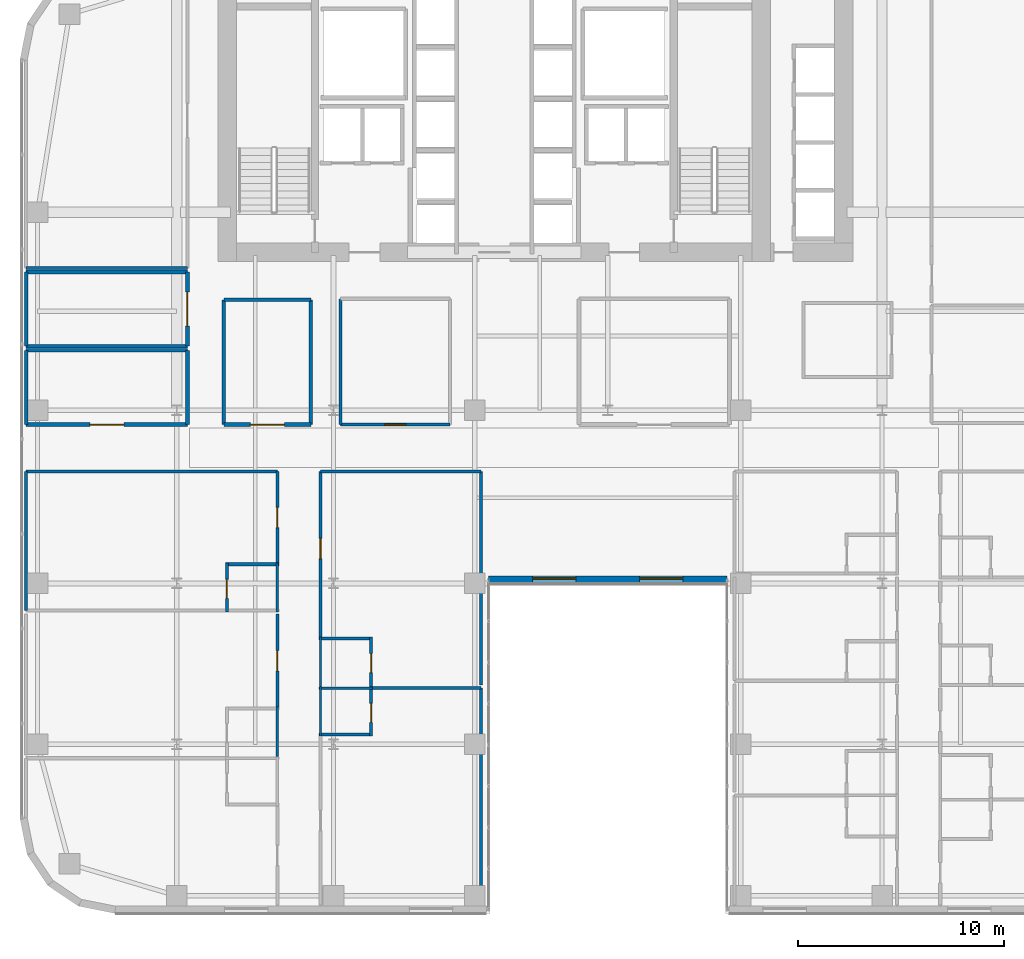
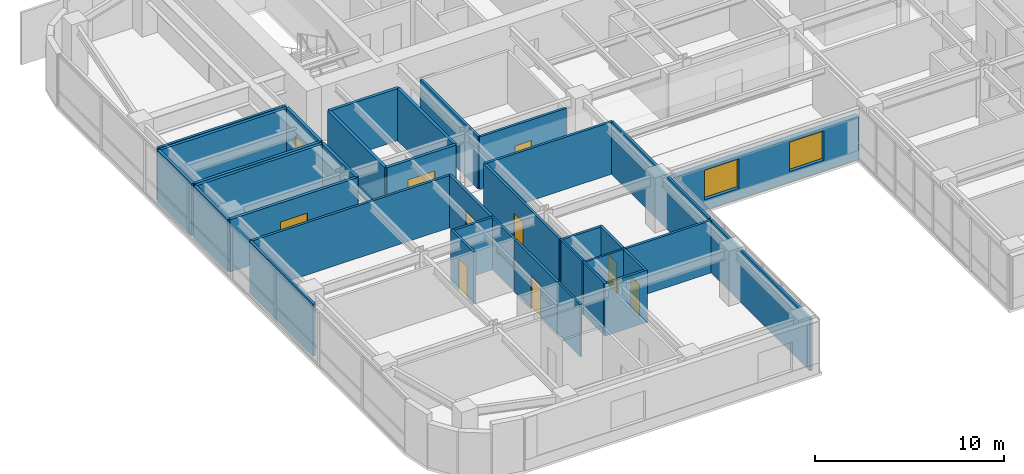
# One storey, part 27 of 37: 36 walls, 10 doors, 2 windows, 12 openings.
"""IFC4 building model written with IfcOpenShell, lengths in metres."""

from ifc_helpers import new_model, si_unit, direction, frame, frame_2d, origin, place, context, subcontext, project, spatial, rectangle, extrude, source, transform, mapped, material, layer, layer_set, type_object, type_shapes, element, fill, save


model = new_model("IFC4")

# Units and contexts
model_context = context("Model", 3, precision=1e-05, world=origin(), true_north=direction((0.0, 1.0)))
body_context = subcontext(model_context, "Body", "Model", "MODEL_VIEW")
ifc_project = project(units=[si_unit("LENGTHUNIT", "METRE"), si_unit("AREAUNIT", "SQUARE_METRE"), si_unit("VOLUMEUNIT", "CUBIC_METRE"), si_unit("PLANEANGLEUNIT", "RADIAN"), si_unit("MASSUNIT", "GRAM", prefix="KILO")], contexts=[model_context])

# Site, building, storey
site_placement = place(None, origin())
site = spatial("IfcSite", under=ifc_project, at=site_placement, CompositionType="ELEMENT")
building_placement = place(site_placement, origin())
building = spatial("IfcBuilding", under=site, at=building_placement, Name="Tolvann Quenvar Hotel", CompositionType="ELEMENT")
storey_placement = place(building_placement, frame((0.0, 0.0, 53.300048828125)))
storey = spatial("IfcBuildingStorey", under=building, at=storey_placement, Name="L12", CompositionType="ELEMENT", Elevation=53.300048828125)

# Wall, openings, windows
ifc_material_1 = material(Name="Kiln-fired red and buff architectural clay brickwork and terracotta masonry", Category="masonry")
ifc_layer_1 = layer(ifc_material_1, 0.35009765625)
ifc_layer_set_1 = layer_set([ifc_layer_1], Name="Kiln-fired red and buff architectural clay brickwork and terracotta masonry")
wall_type_1 = type_object("IfcWallType", Name="WALL_EXT_BRICK_350", PredefinedType="SOLIDWALL", material=ifc_layer_set_1)
wall_1_placement = place(storey_placement, frame((22.7099609375, 16.175048828125, 0.0), z_axis=(0.0, 0.0, 1.0), x_axis=(1.0, 0.0, 0.0)))
wall_1 = element("IfcWall", 1, at=wall_1_placement, inside=storey, type_object=wall_type_1, Name="Exterior Chicago Brick Wall L12-E06", PredefinedType="SOLIDWALL", context=body_context, shape_type="SweptSolid", body=[
    extrude(rectangle(XDim=11.580078125, YDim=0.35009765625, at=frame_2d((5.7900390625, 0.0))), origin(), (0.0, 0.0, 1.0), 2.748046875),
])
opening_1_placement = place(wall_1_placement, frame((2.14501953125, 0.0, 0.679931640625)))
opening_1 = element("IfcOpeningElement", 2, at=opening_1_placement, cuts=wall_1, Name="Opening W-02", PredefinedType="OPENING", context=body_context, shape_type="SweptSolid", body=[
    extrude(rectangle(XDim=2.10009765625, YDim=1.89990234375, at=frame_2d((1.050048828125, 0.949951171875))), frame((0.0, 0.18505859375, 0.0), z_axis=(0.0, -1.0, 0.0), x_axis=(1.0, 0.0, 0.0)), (0.0, 0.0, 1.0), 0.3701171875),
])
opening_2_placement = place(wall_1_placement, frame((7.3349609375, 0.0, 0.679931640625)))
opening_2 = element("IfcOpeningElement", 3, at=opening_2_placement, cuts=wall_1, Name="Opening W-02", PredefinedType="OPENING", context=body_context, shape_type="SweptSolid", body=[
    extrude(rectangle(XDim=2.10009765625, YDim=1.89990234375, at=frame_2d((1.050048828125, 0.949951171875))), frame((0.0, 0.18505859375, 0.0), z_axis=(0.0, -1.0, 0.0), x_axis=(1.0, 0.0, 0.0)), (0.0, 0.0, 1.0), 0.3701171875),
])
ifc_material_2 = material(Name="Thermally broken bronze-anodised aluminium frame with double low-E glazing", Category="aluminium")
window_type = type_object("IfcWindowType", Name="WIN_CHI_2100x2050", PartitioningType="TRIPLE_PANEL_HORIZONTAL", PredefinedType="WINDOW", material=ifc_material_2)
shared_shape_1 = source(origin(), body_context, "Body", "SweptSolid", [
    extrude(rectangle(XDim=2.10009765625, YDim=1.89990234375, at=frame_2d((1.050048828125, 0.949951171875))), frame((0.0, 0.090087890625, 0.0), z_axis=(0.0, -1.0, 0.0), x_axis=(1.0, 0.0, 0.0)), (0.0, 0.0, 1.0), 0.06005859375),
])
type_shapes(window_type, [shared_shape_1])
window_1_placement = place(opening_1_placement, origin())
window_1 = element("IfcWindow", 4, at=window_1_placement, inside=storey, type_object=window_type, Name="Chicago Window W-02 (EW-L12-E06-W01)", OverallHeight=1.89990234375, OverallWidth=2.10009765625, PartitioningType="TRIPLE_PANEL_HORIZONTAL", PredefinedType="WINDOW", context=body_context, shape_type="MappedRepresentation", body=[
    mapped(shared_shape_1, transform((0.0, 0.0, 0.0), x_axis=(1.0, 0.0, 0.0), y_axis=(0.0, 1.0, 0.0), z_axis=(0.0, 0.0, 1.0), scale=1.0)),
])
fill(opening_1, window_1)
window_2_placement = place(opening_2_placement, origin())
window_2 = element("IfcWindow", 5, at=window_2_placement, inside=storey, type_object=window_type, Name="Chicago Window W-02 (EW-L12-E06-W02)", OverallHeight=1.89990234375, OverallWidth=2.10009765625, PartitioningType="TRIPLE_PANEL_HORIZONTAL", PredefinedType="WINDOW", context=body_context, shape_type="MappedRepresentation", body=[
    mapped(shared_shape_1, transform((0.0, 0.0, 0.0), x_axis=(1.0, 0.0, 0.0), y_axis=(0.0, 1.0, 0.0), z_axis=(0.0, 0.0, 1.0), scale=1.0)),
])
fill(opening_2, window_2)

# Wall, opening, door
ifc_material_3 = material(Name="Acoustic twin-stud fire-rated gypsum plasterboard partition")
ifc_layer_2 = layer(ifc_material_3, 0.179931640625)
ifc_layer_set_2 = layer_set([ifc_layer_2], Name="Acoustic twin-stud fire-rated gypsum plasterboard partition")
wall_type_2 = type_object("IfcWallType", Name="WALL_PART_ACOUSTIC_180", PredefinedType="PARTITIONING", material=ifc_layer_set_2)
wall_2_placement = place(storey_placement, frame((0.300048828125, 23.699951171875, 0.0), z_axis=(0.0, 0.0, 1.0), x_axis=(1.0, 0.0, 0.0)))
wall_2 = element("IfcWall", 6, at=wall_2_placement, inside=storey, type_object=wall_type_2, Name="Interior Partition PT-SPC-L12-SAL-S", PredefinedType="PARTITIONING", context=body_context, shape_type="SweptSolid", body=[
    extrude(rectangle(XDim=7.820068359375, YDim=0.179931640625, at=frame_2d((3.91015625, 0.0))), origin(), (0.0, 0.0, 1.0), 3.369873046875),
])
opening_3_placement = place(wall_2_placement, frame((3.0849609375, 0.0, 0.0)))
opening_3 = element("IfcOpeningElement", 7, at=opening_3_placement, cuts=wall_2, Name="Opening AD-01", PredefinedType="OPENING", context=body_context, shape_type="SweptSolid", body=[
    extrude(rectangle(XDim=1.64990234375, YDim=2.14990234375, at=frame_2d((0.824951171875, 1.074951171875))), frame((0.0, 0.10009765625, 0.0), z_axis=(0.0, -1.0, 0.0), x_axis=(1.0, 0.0, 0.0)), (0.0, 0.0, 1.0), 0.199951171875),
])
ifc_material_4 = material(Name="Solid-core American oak acoustic fire door leaf in steel frame", Category="steel")
door_type_1 = type_object("IfcDoorType", Name="DOOR_SALON_1650", OperationType="NOTDEFINED", PredefinedType="DOOR", material=ifc_material_4)
shared_shape_2 = source(origin(), body_context, "Body", "SweptSolid", [
    extrude(rectangle(XDim=1.64990234375, YDim=2.14990234375, at=frame_2d((0.824951171875, 1.074951171875))), frame((0.0, 0.02490234375, 0.0), z_axis=(0.0, -1.0, 0.0), x_axis=(1.0, 0.0, 0.0)), (0.0, 0.0, 1.0), 0.050048828125),
])
type_shapes(door_type_1, [shared_shape_2])
door_1_placement = place(opening_3_placement, origin())
door_1 = element("IfcDoor", 8, at=door_1_placement, inside=storey, type_object=door_type_1, Name="Interior Door DOOR-SPC-L12-SAL", OperationType="DOUBLE_DOOR_SINGLE_SWING", OverallHeight=2.14990234375, OverallWidth=1.64990234375, PredefinedType="DOOR", context=body_context, shape_type="MappedRepresentation", body=[
    mapped(shared_shape_2, transform((0.0, 0.0, 0.0), x_axis=(1.0, 0.0, 0.0), y_axis=(0.0, 1.0, 0.0), z_axis=(0.0, 0.0, 1.0), scale=1.0)),
])
fill(opening_3, door_1)

# Walls
wall_3_placement = place(storey_placement, frame((0.300048828125, 27.300048828125, 0.0), z_axis=(0.0, 0.0, 1.0), x_axis=(1.0, 0.0, 0.0)))
element("IfcWall", 9, at=wall_3_placement, inside=storey, type_object=wall_type_2, Name="Interior Partition PT-SPC-L12-SAL-N", PredefinedType="PARTITIONING", context=body_context, shape_type="SweptSolid", body=[
    extrude(rectangle(XDim=7.820068359375, YDim=0.179931640625, at=frame_2d((3.91015625, 0.0))), origin(), (0.0, 0.0, 1.0), 3.369873046875),
])
for number, where, z_axis, x_axis, name in (
    (10, (0.300048828125, 23.699951171875, 0.0), (0.0, 0.0, 1.0), (0.0, 1.0, 0.0), "Interior Partition PT-SPC-L12-SAL-W"),
    (11, (8.1201171875, 23.699951171875, 0.0), (0.0, 0.0, 1.0), (0.0, 1.0, 0.0), "Interior Partition PT-SPC-L12-SAL-E"),
):
    element("IfcWall", number, at=place(storey_placement, frame(where, z_axis=z_axis, x_axis=x_axis)), inside=storey, type_object=wall_type_2, Name=name, PredefinedType="PARTITIONING", context=body_context, shape_type="SweptSolid", body=[
        extrude(rectangle(XDim=3.60009765625, YDim=0.179931640625, at=frame_2d((1.800048828125, 0.0))), origin(), (0.0, 0.0, 1.0), 3.369873046875),
    ])
for number, where, z_axis, x_axis, name in (
    (12, (0.300048828125, 27.5, 0.0), (0.0, 0.0, 1.0), (1.0, 0.0, 0.0), "Interior Partition PT-SPC-L12-MTG-S"),
    (13, (0.300048828125, 31.10009765625, 0.0), (0.0, 0.0, 1.0), (1.0, 0.0, 0.0), "Interior Partition PT-SPC-L12-MTG-N"),
):
    element("IfcWall", number, at=place(storey_placement, frame(where, z_axis=z_axis, x_axis=x_axis)), inside=storey, type_object=wall_type_2, Name=name, PredefinedType="PARTITIONING", context=body_context, shape_type="SweptSolid", body=[
        extrude(rectangle(XDim=7.820068359375, YDim=0.179931640625, at=frame_2d((3.91015625, 0.0))), origin(), (0.0, 0.0, 1.0), 3.369873046875),
    ])
wall_4_placement = place(storey_placement, frame((0.300048828125, 27.5, 0.0), z_axis=(0.0, 0.0, 1.0), x_axis=(0.0, 1.0, 0.0)))
element("IfcWall", 14, at=wall_4_placement, inside=storey, type_object=wall_type_2, Name="Interior Partition PT-SPC-L12-MTG-W", PredefinedType="PARTITIONING", context=body_context, shape_type="SweptSolid", body=[
    extrude(rectangle(XDim=3.60009765625, YDim=0.179931640625, at=frame_2d((1.800048828125, 0.0))), origin(), (0.0, 0.0, 1.0), 3.369873046875),
])

# Wall, opening, door
wall_5_placement = place(storey_placement, frame((8.1201171875, 27.5, 0.0), z_axis=(0.0, 0.0, 1.0), x_axis=(0.0, 1.0, 0.0)))
wall_5 = element("IfcWall", 15, at=wall_5_placement, inside=storey, type_object=wall_type_2, Name="Interior Partition PT-SPC-L12-MTG-E", PredefinedType="PARTITIONING", context=body_context, shape_type="SweptSolid", body=[
    extrude(rectangle(XDim=3.60009765625, YDim=0.179931640625, at=frame_2d((1.800048828125, 0.0))), origin(), (0.0, 0.0, 1.0), 3.369873046875),
])
opening_4_placement = place(wall_5_placement, frame((0.97509765625, 0.0, 0.0)))
opening_4 = element("IfcOpeningElement", 16, at=opening_4_placement, cuts=wall_5, Name="Opening AD-01", PredefinedType="OPENING", context=body_context, shape_type="SweptSolid", body=[
    extrude(rectangle(XDim=1.64990234375, YDim=2.14990234375, at=frame_2d((0.824951171875, 1.074951171875))), frame((0.0, 0.10009765625, 0.0), z_axis=(0.0, -1.0, 0.0), x_axis=(1.0, 0.0, 0.0)), (0.0, 0.0, 1.0), 0.199951171875),
])
door_2_placement = place(opening_4_placement, origin())
door_2 = element("IfcDoor", 17, at=door_2_placement, inside=storey, type_object=door_type_1, Name="Interior Door DOOR-SPC-L12-MTG", OperationType="DOUBLE_DOOR_SINGLE_SWING", OverallHeight=2.14990234375, OverallWidth=1.64990234375, PredefinedType="DOOR", context=body_context, shape_type="MappedRepresentation", body=[
    mapped(shared_shape_2, transform((0.0, 0.0, 0.0), x_axis=(1.0, 0.0, 0.0), y_axis=(0.0, 1.0, 0.0), z_axis=(0.0, 0.0, 1.0), scale=1.0)),
])
fill(opening_4, door_2)

wall_6_placement = place(storey_placement, frame((9.8798828125, 23.699951171875, 0.0), z_axis=(0.0, 0.0, 1.0), x_axis=(1.0, 0.0, 0.0)))
wall_6 = element("IfcWall", 18, at=wall_6_placement, inside=storey, type_object=wall_type_2, Name="Interior Partition PT-SPC-L12-MSP-W-S", PredefinedType="PARTITIONING", context=body_context, shape_type="SweptSolid", body=[
    extrude(rectangle(XDim=4.22021484375, YDim=0.179931640625, at=frame_2d((2.110107421875, 0.0))), origin(), (0.0, 0.0, 1.0), 3.369873046875),
])
opening_5_placement = place(wall_6_placement, frame((1.284912109375, 0.0, 0.0)))
opening_5 = element("IfcOpeningElement", 19, at=opening_5_placement, cuts=wall_6, Name="Opening AD-01", PredefinedType="OPENING", context=body_context, shape_type="SweptSolid", body=[
    extrude(rectangle(XDim=1.64990234375, YDim=2.14990234375, at=frame_2d((0.824951171875, 1.074951171875))), frame((0.0, 0.10009765625, 0.0), z_axis=(0.0, -1.0, 0.0), x_axis=(1.0, 0.0, 0.0)), (0.0, 0.0, 1.0), 0.199951171875),
])
door_3_placement = place(opening_5_placement, origin())
door_3 = element("IfcDoor", 20, at=door_3_placement, inside=storey, type_object=door_type_1, Name="Interior Door DOOR-SPC-L12-MSP-W", OperationType="DOUBLE_DOOR_SINGLE_SWING", OverallHeight=2.14990234375, OverallWidth=1.64990234375, PredefinedType="DOOR", context=body_context, shape_type="MappedRepresentation", body=[
    mapped(shared_shape_2, transform((0.0, 0.0, 0.0), x_axis=(1.0, 0.0, 0.0), y_axis=(0.0, 1.0, 0.0), z_axis=(0.0, 0.0, 1.0), scale=1.0)),
])
fill(opening_5, door_3)

# Walls
wall_7_placement = place(storey_placement, frame((9.8798828125, 29.75, 0.0), z_axis=(0.0, 0.0, 1.0), x_axis=(1.0, 0.0, 0.0)))
element("IfcWall", 21, at=wall_7_placement, inside=storey, type_object=wall_type_2, Name="Interior Partition PT-SPC-L12-MSP-W-N", PredefinedType="PARTITIONING", context=body_context, shape_type="SweptSolid", body=[
    extrude(rectangle(XDim=4.22021484375, YDim=0.179931640625, at=frame_2d((2.110107421875, 0.0))), origin(), (0.0, 0.0, 1.0), 3.369873046875),
])
for number, where, z_axis, x_axis, name in (
    (22, (9.8798828125, 23.699951171875, 0.0), (0.0, 0.0, 1.0), (0.0, 1.0, 0.0), "Interior Partition PT-SPC-L12-MSP-W-W"),
    (23, (14.10009765625, 23.699951171875, 0.0), (0.0, 0.0, 1.0), (0.0, 1.0, 0.0), "Interior Partition PT-SPC-L12-MSP-W-E"),
):
    element("IfcWall", number, at=place(storey_placement, frame(where, z_axis=z_axis, x_axis=x_axis)), inside=storey, type_object=wall_type_2, Name=name, PredefinedType="PARTITIONING", context=body_context, shape_type="SweptSolid", body=[
        extrude(rectangle(XDim=6.050048828125, YDim=0.179931640625, at=frame_2d((3.02490234375, 0.0))), origin(), (0.0, 0.0, 1.0), 3.369873046875),
    ])
ifc_material_5 = material(Name="Moisture-resistant acoustic plumbing wall assembly")
ifc_layer_3 = layer(ifc_material_5, 0.1201171875)
ifc_layer_set_3 = layer_set([ifc_layer_3], Name="Moisture-resistant acoustic plumbing wall assembly")
wall_type_3 = type_object("IfcWallType", Name="WALL_PART_BATH_120", PredefinedType="PLUMBINGWALL", material=ifc_layer_set_3)
for number, where, z_axis, x_axis, name in (
    (24, (12.47998046875, 7.610107421875, 0.0), (0.0, 0.0, 1.0), (0.0, 1.0, 0.0), "Non-Rated Plumbing Partition PT-SPC-L12-ENS-WO02-E"),
    (25, (12.47998046875, 14.610107421875, 0.0), (0.0, 0.0, 1.0), (0.0, 1.0, 0.0), "Non-Rated Plumbing Partition PT-SPC-L12-ENS-WO03-E"),
):
    element("IfcWall", number, at=place(storey_placement, frame(where, z_axis=z_axis, x_axis=x_axis)), inside=storey, type_object=wall_type_3, Name=name, PredefinedType="PLUMBINGWALL", context=body_context, shape_type="SweptSolid", body=[
        extrude(rectangle(XDim=2.389892578125, YDim=0.1201171875, at=frame_2d((1.19482421875, 0.0))), origin(), (0.0, 0.0, 1.0), 3.369873046875),
    ])
wall_8_placement = place(storey_placement, frame((14.5, 10.919921875, 0.0), z_axis=(0.0, 0.0, 1.0), x_axis=(1.0, 0.0, 0.0)))
element("IfcWall", 26, at=wall_8_placement, inside=storey, type_object=wall_type_3, Name="Non-Rated Plumbing Partition PT-SPC-L12-ENS-WI01-N", PredefinedType="PLUMBINGWALL", context=body_context, shape_type="SweptSolid", body=[
    extrude(rectangle(XDim=2.590087890625, YDim=0.1201171875, at=frame_2d((1.294921875, 0.0))), origin(), (0.0, 0.0, 1.0), 3.369873046875),
])
for number, where, z_axis, x_axis, name in (
    (27, (14.570068359375, 8.60009765625, 0.0), (0.0, 0.0, 1.0), (0.0, 1.0, 0.0), "Non-Rated Plumbing Partition PT-SPC-L12-ENS-WI01-W"),
    (28, (14.570068359375, 11.010009765625, 0.0), (0.0, 0.0, 1.0), (0.0, 1.0, 0.0), "Non-Rated Plumbing Partition PT-SPC-L12-ENS-WI02-W"),
):
    element("IfcWall", number, at=place(storey_placement, frame(where, z_axis=z_axis, x_axis=x_axis)), inside=storey, type_object=wall_type_3, Name=name, PredefinedType="PLUMBINGWALL", context=body_context, shape_type="SweptSolid", body=[
        extrude(rectangle(XDim=2.389892578125, YDim=0.1201171875, at=frame_2d((1.19482421875, 0.0))), origin(), (0.0, 0.0, 1.0), 3.369873046875),
    ])

# Wall, opening, door
ifc_layer_4 = layer(ifc_material_3, 0.14990234375)
ifc_layer_set_4 = layer_set([ifc_layer_4], Name="Acoustic twin-stud fire-rated gypsum plasterboard partition")
wall_type_4 = type_object("IfcWallType", Name="WALL_PART_SUITE_150", PredefinedType="PARTITIONING", material=ifc_layer_set_4)
wall_9_placement = place(storey_placement, frame((10.030029296875, 14.610107421875, 0.0), z_axis=(0.0, 0.0, 1.0), x_axis=(0.0, 1.0, 0.0)))
wall_9 = element("IfcWall", 29, at=wall_9_placement, inside=storey, type_object=wall_type_4, Name="Interior Partition PT-SPC-L12-ENS-WO03-ENT", PredefinedType="PARTITIONING", context=body_context, shape_type="SweptSolid", body=[
    extrude(rectangle(XDim=2.389892578125, YDim=0.14990234375, at=frame_2d((1.19482421875, 0.0))), origin(), (0.0, 0.0, 1.0), 3.369873046875),
])
opening_6_placement = place(wall_9_placement, frame((0.6650390625, 0.0, 0.0)))
opening_6 = element("IfcOpeningElement", 30, at=opening_6_placement, cuts=wall_9, Name="Opening WD-01", PredefinedType="OPENING", context=body_context, shape_type="SweptSolid", body=[
    extrude(rectangle(XDim=0.919921875, YDim=2.010009765625, at=frame_2d((0.4599609375, 1.0048828125))), frame((0.0, 0.0849609375, 0.0), z_axis=(0.0, -1.0, 0.0), x_axis=(1.0, 0.0, 0.0)), (0.0, 0.0, 1.0), 0.169921875),
])
door_type_2 = type_object("IfcDoorType", Name="DOOR_WC_920", OperationType="NOTDEFINED", PredefinedType="DOOR", material=ifc_material_4)
shared_shape_3 = source(origin(), body_context, "Body", "SweptSolid", [
    extrude(rectangle(XDim=0.919921875, YDim=2.010009765625, at=frame_2d((0.4599609375, 1.0048828125))), frame((0.0, 0.02490234375, 0.0), z_axis=(0.0, -1.0, 0.0), x_axis=(1.0, 0.0, 0.0)), (0.0, 0.0, 1.0), 0.050048828125),
])
type_shapes(door_type_2, [shared_shape_3])
door_4_placement = place(opening_6_placement, origin())
door_4 = element("IfcDoor", 31, at=door_4_placement, inside=storey, type_object=door_type_2, Name="Interior Door DOOR-SPC-L12-ENS-WO03", OperationType="SINGLE_SWING_RIGHT", OverallHeight=2.010009765625, OverallWidth=0.919921875, PredefinedType="DOOR", context=body_context, shape_type="MappedRepresentation", body=[
    mapped(shared_shape_3, transform((0.0, 0.0, 0.0), x_axis=(1.0, 0.0, 0.0), y_axis=(0.0, 1.0, 0.0), z_axis=(0.0, 0.0, 1.0), scale=1.0)),
])
fill(opening_6, door_4)

# Wall
wall_10_placement = place(storey_placement, frame((9.9599609375, 16.929931640625, 0.0), z_axis=(0.0, 0.0, 1.0), x_axis=(1.0, 0.0, 0.0)))
element("IfcWall", 32, at=wall_10_placement, inside=storey, type_object=wall_type_4, Name="Interior Partition PT-SPC-L12-ENS-WO03-N", PredefinedType="PARTITIONING", context=body_context, shape_type="SweptSolid", body=[
    extrude(rectangle(XDim=2.590087890625, YDim=0.14990234375, at=frame_2d((1.294921875, 0.0))), origin(), (0.0, 0.0, 1.0), 3.369873046875),
])

# Wall, opening, door
wall_11_placement = place(storey_placement, frame((17.02001953125, 8.60009765625, 0.0), z_axis=(0.0, 0.0, 1.0), x_axis=(0.0, 1.0, 0.0)))
wall_11 = element("IfcWall", 33, at=wall_11_placement, inside=storey, type_object=wall_type_4, Name="Interior Partition PT-SPC-L12-ENS-WI01-ENT", PredefinedType="PARTITIONING", context=body_context, shape_type="SweptSolid", body=[
    extrude(rectangle(XDim=2.389892578125, YDim=0.14990234375, at=frame_2d((1.19482421875, 0.0))), origin(), (0.0, 0.0, 1.0), 3.369873046875),
])
opening_7_placement = place(wall_11_placement, frame((0.6650390625, 0.0, 0.0)))
opening_7 = element("IfcOpeningElement", 34, at=opening_7_placement, cuts=wall_11, Name="Opening WD-01", PredefinedType="OPENING", context=body_context, shape_type="SweptSolid", body=[
    extrude(rectangle(XDim=0.919921875, YDim=2.010009765625, at=frame_2d((0.4599609375, 1.0048828125))), frame((0.0, 0.0849609375, 0.0), z_axis=(0.0, -1.0, 0.0), x_axis=(1.0, 0.0, 0.0)), (0.0, 0.0, 1.0), 0.169921875),
])
door_5_placement = place(opening_7_placement, origin())
door_5 = element("IfcDoor", 35, at=door_5_placement, inside=storey, type_object=door_type_2, Name="Interior Door DOOR-SPC-L12-ENS-WI01", OperationType="SINGLE_SWING_LEFT", OverallHeight=2.010009765625, OverallWidth=0.919921875, PredefinedType="DOOR", context=body_context, shape_type="MappedRepresentation", body=[
    mapped(shared_shape_3, transform((0.0, 0.0, 0.0), x_axis=(1.0, 0.0, 0.0), y_axis=(0.0, 1.0, 0.0), z_axis=(0.0, 0.0, 1.0), scale=1.0)),
])
fill(opening_7, door_5)

# Wall
wall_12_placement = place(storey_placement, frame((14.5, 8.669921875, 0.0), z_axis=(0.0, 0.0, 1.0), x_axis=(1.0, 0.0, 0.0)))
element("IfcWall", 36, at=wall_12_placement, inside=storey, type_object=wall_type_4, Name="Interior Partition PT-SPC-L12-ENS-WI01-S", PredefinedType="PARTITIONING", context=body_context, shape_type="SweptSolid", body=[
    extrude(rectangle(XDim=2.590087890625, YDim=0.14990234375, at=frame_2d((1.294921875, 0.0))), origin(), (0.0, 0.0, 1.0), 3.369873046875),
])

# Wall, opening, door
wall_13_placement = place(storey_placement, frame((17.02001953125, 11.010009765625, 0.0), z_axis=(0.0, 0.0, 1.0), x_axis=(0.0, 1.0, 0.0)))
wall_13 = element("IfcWall", 37, at=wall_13_placement, inside=storey, type_object=wall_type_4, Name="Interior Partition PT-SPC-L12-ENS-WI02-ENT", PredefinedType="PARTITIONING", context=body_context, shape_type="SweptSolid", body=[
    extrude(rectangle(XDim=2.389892578125, YDim=0.14990234375, at=frame_2d((1.19482421875, 0.0))), origin(), (0.0, 0.0, 1.0), 3.369873046875),
])
opening_8_placement = place(wall_13_placement, frame((0.6650390625, 0.0, 0.0)))
opening_8 = element("IfcOpeningElement", 38, at=opening_8_placement, cuts=wall_13, Name="Opening WD-01", PredefinedType="OPENING", context=body_context, shape_type="SweptSolid", body=[
    extrude(rectangle(XDim=0.919921875, YDim=2.010009765625, at=frame_2d((0.4599609375, 1.0048828125))), frame((0.0, 0.0849609375, 0.0), z_axis=(0.0, -1.0, 0.0), x_axis=(1.0, 0.0, 0.0)), (0.0, 0.0, 1.0), 0.169921875),
])
door_6_placement = place(opening_8_placement, origin())
door_6 = element("IfcDoor", 39, at=door_6_placement, inside=storey, type_object=door_type_2, Name="Interior Door DOOR-SPC-L12-ENS-WI02", OperationType="SINGLE_SWING_RIGHT", OverallHeight=2.010009765625, OverallWidth=0.919921875, PredefinedType="DOOR", context=body_context, shape_type="MappedRepresentation", body=[
    mapped(shared_shape_3, transform((0.0, 0.0, 0.0), x_axis=(1.0, 0.0, 0.0), y_axis=(0.0, 1.0, 0.0), z_axis=(0.0, 0.0, 1.0), scale=1.0)),
])
fill(opening_8, door_6)

# Wall
wall_14_placement = place(storey_placement, frame((14.5, 13.330078125, 0.0), z_axis=(0.0, 0.0, 1.0), x_axis=(1.0, 0.0, 0.0)))
element("IfcWall", 40, at=wall_14_placement, inside=storey, type_object=wall_type_4, Name="Interior Partition PT-SPC-L12-ENS-WI02-N", PredefinedType="PARTITIONING", context=body_context, shape_type="SweptSolid", body=[
    extrude(rectangle(XDim=2.590087890625, YDim=0.14990234375, at=frame_2d((1.294921875, 0.0))), origin(), (0.0, 0.0, 1.0), 3.369873046875),
])

# Wall, opening, door
wall_15_placement = place(storey_placement, frame((12.47998046875, 10.010009765625, 0.0), z_axis=(0.0, 0.0, 1.0), x_axis=(0.0, 1.0, 0.0)))
wall_15 = element("IfcWall", 41, at=wall_15_placement, inside=storey, type_object=wall_type_4, Name="Interior Partition PT-SPC-L12-RM-WO02-ENT", PredefinedType="PARTITIONING", context=body_context, shape_type="SweptSolid", body=[
    extrude(rectangle(XDim=4.510009765625, YDim=0.14990234375, at=frame_2d((2.2548828125, 0.0))), origin(), (0.0, 0.0, 1.0), 3.369873046875),
])
opening_9_placement = place(wall_15_placement, frame((1.7451171875, 0.0, 0.0)))
opening_9 = element("IfcOpeningElement", 42, at=opening_9_placement, cuts=wall_15, Name="Opening SD-01", PredefinedType="OPENING", context=body_context, shape_type="SweptSolid", body=[
    extrude(rectangle(XDim=0.97998046875, YDim=2.1201171875, at=frame_2d((0.489990234375, 1.06005859375))), frame((0.0, 0.0849609375, 0.0), z_axis=(0.0, -1.0, 0.0), x_axis=(1.0, 0.0, 0.0)), (0.0, 0.0, 1.0), 0.169921875),
])
door_type_3 = type_object("IfcDoorType", Name="DOOR_SUITE_980", OperationType="NOTDEFINED", PredefinedType="DOOR", material=ifc_material_4)
shared_shape_4 = source(origin(), body_context, "Body", "SweptSolid", [
    extrude(rectangle(XDim=0.97998046875, YDim=2.1201171875, at=frame_2d((0.489990234375, 1.06005859375))), frame((0.0, 0.02490234375, 0.0), z_axis=(0.0, -1.0, 0.0), x_axis=(1.0, 0.0, 0.0)), (0.0, 0.0, 1.0), 0.050048828125),
])
type_shapes(door_type_3, [shared_shape_4])
door_7_placement = place(opening_9_placement, origin())
door_7 = element("IfcDoor", 43, at=door_7_placement, inside=storey, type_object=door_type_3, Name="Interior Door DOOR-SPC-L12-RM-WO02", OperationType="SINGLE_SWING_RIGHT", OverallHeight=2.1201171875, OverallWidth=0.97998046875, PredefinedType="DOOR", context=body_context, shape_type="MappedRepresentation", body=[
    mapped(shared_shape_4, transform((0.0, 0.0, 0.0), x_axis=(1.0, 0.0, 0.0), y_axis=(0.0, 1.0, 0.0), z_axis=(0.0, 0.0, 1.0), scale=1.0)),
])
fill(opening_9, door_7)

wall_16_placement = place(storey_placement, frame((12.47998046875, 17.010009765625, 0.0), z_axis=(0.0, 0.0, 1.0), x_axis=(0.0, 1.0, 0.0)))
wall_16 = element("IfcWall", 44, at=wall_16_placement, inside=storey, type_object=wall_type_4, Name="Interior Partition PT-SPC-L12-RM-WO03-ENT", PredefinedType="PARTITIONING", context=body_context, shape_type="SweptSolid", body=[
    extrude(rectangle(XDim=4.409912109375, YDim=0.14990234375, at=frame_2d((2.205078125, 0.0))), origin(), (0.0, 0.0, 1.0), 3.369873046875),
])
opening_10_placement = place(wall_16_placement, frame((1.695068359375, 0.0, 0.0)))
opening_10 = element("IfcOpeningElement", 45, at=opening_10_placement, cuts=wall_16, Name="Opening SD-01", PredefinedType="OPENING", context=body_context, shape_type="SweptSolid", body=[
    extrude(rectangle(XDim=0.97998046875, YDim=2.1201171875, at=frame_2d((0.489990234375, 1.06005859375))), frame((0.0, 0.0849609375, 0.0), z_axis=(0.0, -1.0, 0.0), x_axis=(1.0, 0.0, 0.0)), (0.0, 0.0, 1.0), 0.169921875),
])
door_8_placement = place(opening_10_placement, origin())
door_8 = element("IfcDoor", 46, at=door_8_placement, inside=storey, type_object=door_type_3, Name="Interior Door DOOR-SPC-L12-RM-WO03", OperationType="SINGLE_SWING_LEFT", OverallHeight=2.1201171875, OverallWidth=0.97998046875, PredefinedType="DOOR", context=body_context, shape_type="MappedRepresentation", body=[
    mapped(shared_shape_4, transform((0.0, 0.0, 0.0), x_axis=(1.0, 0.0, 0.0), y_axis=(0.0, 1.0, 0.0), z_axis=(0.0, 0.0, 1.0), scale=1.0)),
])
fill(opening_10, door_8)

# Walls
wall_17_placement = place(storey_placement, frame((0.300048828125, 21.419921875, 0.0), z_axis=(0.0, 0.0, 1.0), x_axis=(1.0, 0.0, 0.0)))
element("IfcWall", 47, at=wall_17_placement, inside=storey, type_object=wall_type_4, Name="Interior Partition PT-SPC-L12-RM-WO03-E5", PredefinedType="PARTITIONING", context=body_context, shape_type="SweptSolid", body=[
    extrude(rectangle(XDim=12.179931640625, YDim=0.14990234375, at=frame_2d((6.08984375, 0.0))), origin(), (0.0, 0.0, 1.0), 3.369873046875),
])
wall_18_placement = place(storey_placement, frame((0.300048828125, 14.679931640625, 0.0), z_axis=(0.0, 0.0, 1.0), x_axis=(0.0, 1.0, 0.0)))
element("IfcWall", 48, at=wall_18_placement, inside=storey, type_object=wall_type_4, Name="Interior Partition PT-SPC-L12-RM-WO03-E6", PredefinedType="PARTITIONING", context=body_context, shape_type="SweptSolid", body=[
    extrude(rectangle(XDim=6.739990234375, YDim=0.14990234375, at=frame_2d((3.3701171875, 0.0))), origin(), (0.0, 0.0, 1.0), 3.369873046875),
])
wall_19_placement = place(storey_placement, frame((22.35009765625, 0.405029296875, 0.0), z_axis=(0.0, 0.0, 1.0), x_axis=(0.0, 1.0, 0.0)))
element("IfcWall", 49, at=wall_19_placement, inside=storey, type_object=wall_type_4, Name="Interior Partition PT-SPC-L12-RM-WI01-E2", PredefinedType="PARTITIONING", context=body_context, shape_type="SweptSolid", body=[
    extrude(rectangle(XDim=10.514892578125, YDim=0.14990234375, at=frame_2d((5.25732421875, 0.0))), origin(), (0.0, 0.0, 1.0), 3.369873046875),
])
wall_20_placement = place(storey_placement, frame((17.0400390625, 10.919921875, 0.0), z_axis=(0.0, 0.0, 1.0), x_axis=(1.0, 0.0, 0.0)))
element("IfcWall", 50, at=wall_20_placement, inside=storey, type_object=wall_type_4, Name="Interior Partition PT-SPC-L12-RM-WI01-E3", PredefinedType="PARTITIONING", context=body_context, shape_type="SweptSolid", body=[
    extrude(rectangle(XDim=5.31005859375, YDim=0.14990234375, at=frame_2d((2.655029296875, 0.0))), origin(), (0.0, 0.0, 1.0), 3.369873046875),
])

# Wall, opening, door
wall_21_placement = place(storey_placement, frame((14.570068359375, 13.409912109375, 0.0), z_axis=(0.0, 0.0, 1.0), x_axis=(0.0, 1.0, 0.0)))
wall_21 = element("IfcWall", 51, at=wall_21_placement, inside=storey, type_object=wall_type_4, Name="Interior Partition PT-SPC-L12-RM-WI02-ENT", PredefinedType="PARTITIONING", context=body_context, shape_type="SweptSolid", body=[
    extrude(rectangle(XDim=8.010009765625, YDim=0.14990234375, at=frame_2d((4.0048828125, 0.0))), origin(), (0.0, 0.0, 1.0), 3.369873046875),
])
opening_11_placement = place(wall_21_placement, frame((3.794921875, 0.0, 0.0)))
opening_11 = element("IfcOpeningElement", 52, at=opening_11_placement, cuts=wall_21, Name="Opening SD-01", PredefinedType="OPENING", context=body_context, shape_type="SweptSolid", body=[
    extrude(rectangle(XDim=0.97998046875, YDim=2.1201171875, at=frame_2d((0.489990234375, 1.06005859375))), frame((0.0, 0.0849609375, 0.0), z_axis=(0.0, -1.0, 0.0), x_axis=(1.0, 0.0, 0.0)), (0.0, 0.0, 1.0), 0.169921875),
])
door_9_placement = place(opening_11_placement, origin())
door_9 = element("IfcDoor", 53, at=door_9_placement, inside=storey, type_object=door_type_3, Name="Interior Door DOOR-SPC-L12-RM-WI02", OperationType="SINGLE_SWING_LEFT", OverallHeight=2.1201171875, OverallWidth=0.97998046875, PredefinedType="DOOR", context=body_context, shape_type="MappedRepresentation", body=[
    mapped(shared_shape_4, transform((0.0, 0.0, 0.0), x_axis=(1.0, 0.0, 0.0), y_axis=(0.0, 1.0, 0.0), z_axis=(0.0, 0.0, 1.0), scale=1.0)),
])
fill(opening_11, door_9)

# Walls
wall_22_placement = place(storey_placement, frame((22.35009765625, 11.080078125, 0.0), z_axis=(0.0, 0.0, 1.0), x_axis=(0.0, 1.0, 0.0)))
element("IfcWall", 54, at=wall_22_placement, inside=storey, type_object=wall_type_4, Name="Interior Partition PT-SPC-L12-RM-WI02-E4", PredefinedType="PARTITIONING", context=body_context, shape_type="SweptSolid", body=[
    extrude(rectangle(XDim=10.33984375, YDim=0.14990234375, at=frame_2d((5.169921875, 0.0))), origin(), (0.0, 0.0, 1.0), 3.369873046875),
])
wall_23_placement = place(storey_placement, frame((14.570068359375, 21.419921875, 0.0), z_axis=(0.0, 0.0, 1.0), x_axis=(1.0, 0.0, 0.0)))
element("IfcWall", 55, at=wall_23_placement, inside=storey, type_object=wall_type_4, Name="Interior Partition PT-SPC-L12-RM-WI02-E5", PredefinedType="PARTITIONING", context=body_context, shape_type="SweptSolid", body=[
    extrude(rectangle(XDim=7.780029296875, YDim=0.14990234375, at=frame_2d((3.89013671875, 0.0))), origin(), (0.0, 0.0, 1.0), 3.369873046875),
])
wall_24_placement = place(storey_placement, frame((0.300048828125, 31.300048828125, 0.0), z_axis=(0.0, 0.0, 1.0), x_axis=(1.0, 0.0, 0.0)))
element("IfcWall", 56, at=wall_24_placement, inside=storey, type_object=wall_type_4, Name="Interior Partition PT-SPC-L12-TEA-S", PredefinedType="PARTITIONING", context=body_context, shape_type="SweptSolid", body=[
    extrude(rectangle(XDim=7.820068359375, YDim=0.14990234375, at=frame_2d((3.91015625, 0.0))), origin(), (0.0, 0.0, 1.0), 3.369873046875),
])

# Wall, opening, door
wall_25_placement = place(storey_placement, frame((15.550048828125, 23.699951171875, 0.0), z_axis=(0.0, 0.0, 1.0), x_axis=(1.0, 0.0, 0.0)))
wall_25 = element("IfcWall", 57, at=wall_25_placement, inside=storey, type_object=wall_type_4, Name="Interior Partition PT-SPC-L12-MSP-N-S", PredefinedType="PARTITIONING", context=body_context, shape_type="SweptSolid", body=[
    extrude(rectangle(XDim=5.300048828125, YDim=0.14990234375, at=frame_2d((2.64990234375, 0.0))), origin(), (0.0, 0.0, 1.0), 3.369873046875),
])
opening_12_placement = place(wall_25_placement, frame((2.139892578125, 0.0, 0.0)))
opening_12 = element("IfcOpeningElement", 58, at=opening_12_placement, cuts=wall_25, Name="Opening HD-01", PredefinedType="OPENING", context=body_context, shape_type="SweptSolid", body=[
    extrude(rectangle(XDim=1.02001953125, YDim=2.030029296875, at=frame_2d((0.510009765625, 1.01513671875))), frame((0.0, 0.0849609375, 0.0), z_axis=(0.0, -1.0, 0.0), x_axis=(1.0, 0.0, 0.0)), (0.0, 0.0, 1.0), 0.169921875),
])
ifc_material_6 = material(Name="Pressed galvanised steel fire-rated door set", Category="steel")
door_type_4 = type_object("IfcDoorType", Name="DOOR_BOH_1020", OperationType="NOTDEFINED", PredefinedType="DOOR", material=ifc_material_6)
shared_shape_5 = source(origin(), body_context, "Body", "SweptSolid", [
    extrude(rectangle(XDim=1.02001953125, YDim=2.030029296875, at=frame_2d((0.510009765625, 1.01513671875))), frame((0.0, 0.02490234375, 0.0), z_axis=(0.0, -1.0, 0.0), x_axis=(1.0, 0.0, 0.0)), (0.0, 0.0, 1.0), 0.050048828125),
])
type_shapes(door_type_4, [shared_shape_5])
door_10_placement = place(opening_12_placement, origin())
door_10 = element("IfcDoor", 59, at=door_10_placement, inside=storey, type_object=door_type_4, Name="Interior Door DOOR-SPC-L12-MSP-N", OperationType="SINGLE_SWING_LEFT", OverallHeight=2.030029296875, OverallWidth=1.02001953125, PredefinedType="DOOR", context=body_context, shape_type="MappedRepresentation", body=[
    mapped(shared_shape_5, transform((0.0, 0.0, 0.0), x_axis=(1.0, 0.0, 0.0), y_axis=(0.0, 1.0, 0.0), z_axis=(0.0, 0.0, 1.0), scale=1.0)),
])
fill(opening_12, door_10)

# Wall
wall_26_placement = place(storey_placement, frame((15.550048828125, 23.699951171875, 0.0), z_axis=(0.0, 0.0, 1.0), x_axis=(0.0, 1.0, 0.0)))
element("IfcWall", 60, at=wall_26_placement, inside=storey, type_object=wall_type_4, Name="Interior Partition PT-SPC-L12-MSP-N-W", PredefinedType="PARTITIONING", context=body_context, shape_type="SweptSolid", body=[
    extrude(rectangle(XDim=6.10009765625, YDim=0.14990234375, at=frame_2d((3.050048828125, 0.0))), origin(), (0.0, 0.0, 1.0), 3.369873046875),
])

save(model, "model.ifc")
